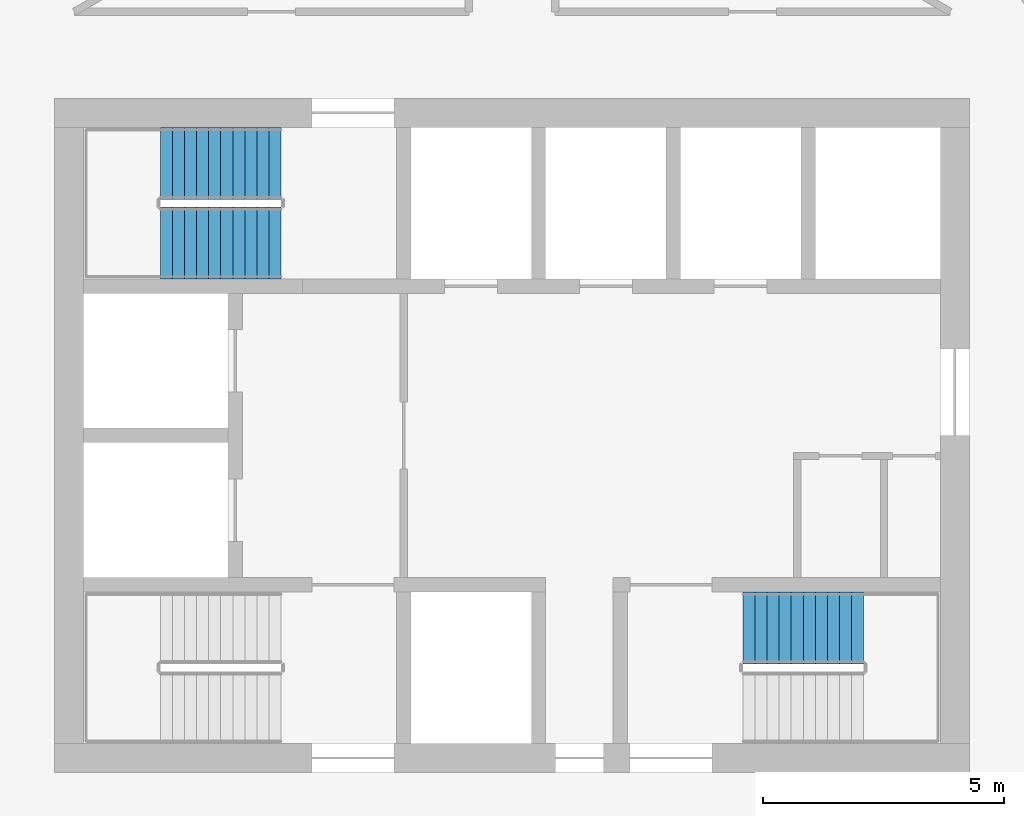
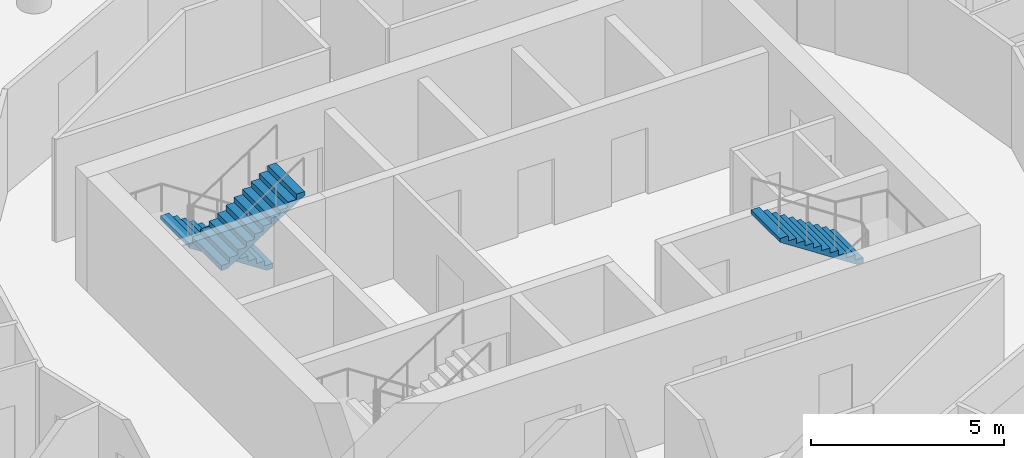
# One storey, part 11 of 12: 3 stair flights, 2 elements without a shape of their own.
"""IFC4 building model written with IfcOpenShell, lengths in metres."""

from ifc_helpers import new_model, si_unit, direction, frame, origin, place, context, subcontext, project, spatial, polyline, outline, extrude, material, type_object, element, aggregate, save


model = new_model("IFC4")

# Units and contexts
model_context = context("Model", 3, precision=1e-05, world=origin(), true_north=direction((0.0, 1.0)))
body_context = subcontext(model_context, "Body", "Model", "MODEL_VIEW")
ifc_project = project(units=[si_unit("LENGTHUNIT", "METRE"), si_unit("AREAUNIT", "SQUARE_METRE"), si_unit("VOLUMEUNIT", "CUBIC_METRE"), si_unit("PLANEANGLEUNIT", "RADIAN"), si_unit("MASSUNIT", "GRAM", prefix="KILO")], contexts=[model_context])

# Site, building, storey
site_placement = place(None, origin())
site = spatial("IfcSite", under=ifc_project, at=site_placement, CompositionType="ELEMENT")
building_placement = place(site_placement, origin())
building = spatial("IfcBuilding", under=site, at=building_placement, Name="Tracery Tower", CompositionType="ELEMENT")
storey_placement = place(building_placement, frame((0.0, 0.0, 287.39990234375)))
storey = spatial("IfcBuildingStorey", under=building, at=storey_placement, Name="L74", CompositionType="ELEMENT", Elevation=287.39990234375)

# Stair, stair flights
ifc_material_1 = material(Name="Concrete C32/40", Category="concrete")
stair_type = type_object("IfcStairType", Name="Core stair 22 risers", PredefinedType="HALF_TURN_STAIR", material=ifc_material_1)
stair_1_placement = place(storey_placement, origin())
stair_1 = element("IfcStair", 1, at=stair_1_placement, inside=storey, type_object=stair_type, Name="L74 stair ST3", PredefinedType="HALF_TURN_STAIR")
ifc_material_2 = material(Name="Concrete C32/40", Category="concrete")
stair_flight_type = type_object("IfcStairFlightType", Name="Core stair flight 11 risers", PredefinedType="STRAIGHT", material=ifc_material_2)
stair_flight_1_placement = place(storey_placement, frame((-4.800048828125, 5.64990234375, 0.0), z_axis=(0.0, 0.0, 1.0), x_axis=(-1.0, 0.0, 0.0)))
stair_flight_1 = element("IfcStairFlight", 2, at=stair_flight_1_placement, type_object=stair_flight_type, Name="ST3 flight 1", NumberOfRisers=11, NumberOfTreads=10, PredefinedType="STRAIGHT", RiserHeight=0.163636364, TreadLength=0.25, context=body_context, shape_type="SweptSolid", body=[
    extrude(outline(polyline([(0.0, 0.0), (0.0, 0.002685546875), (0.0, 0.00537109375), (0.0, 0.008056640625), (0.0, 0.0107421875), (0.0, 0.013427734375), (0.0, 0.01611328125), (0.0, 0.018798828125), (0.0, 0.021484375), (0.0, 0.024169921875), (0.0, 0.02685546875), (0.0, 0.029541015625), (0.0, 0.0322265625), (0.0, 0.034912109375), (0.0, 0.03759765625), (0.0, 0.040283203125), (0.0, 0.04296875), (0.0, 0.045654296875), (0.0, 0.04833984375), (0.0, 0.051025390625), (0.0, 0.0537109375), (0.0, 0.056396484375), (0.0, 0.05908203125), (0.0, 0.061767578125), (0.0, 0.064453125), (0.0, 0.067138671875), (0.0, 0.06982421875), (0.0, 0.072509765625), (0.0, 0.0751953125), (0.0, 0.077880859375), (0.0, 0.08056640625), (0.0, 0.083251953125), (0.0, 0.0859375), (0.0, 0.088623046875), (0.0, 0.09130859375), (0.0, 0.093994140625), (0.0, 0.0966796875), (0.0, 0.099365234375), (0.0, 0.10205078125), (0.0, 0.104736328125), (0.0, 0.107421875), (0.0, 0.10986328125), (0.0, 0.112548828125), (0.0, 0.115234375), (0.0, 0.117919921875), (0.0, 0.12060546875), (0.0, 0.123291015625), (0.0, 0.1259765625), (0.0, 0.128662109375), (0.0, 0.13134765625), (0.0, 0.134033203125), (0.0, 0.13671875), (0.0, 0.139404296875), (0.0, 0.14208984375), (0.0, 0.144775390625), (0.0, 0.1474609375), (0.0, 0.150146484375), (0.0, 0.15283203125), (0.0, 0.155517578125), (0.0, 0.158203125), (0.0, 0.160888671875), (0.0, 0.16357421875), (0.25, 0.16357421875), (0.25, 0.327392578125), (0.5, 0.327392578125), (0.5, 0.490966796875), (0.75, 0.490966796875), (0.75, 0.654541015625), (1.0, 0.654541015625), (1.0, 0.818115234375), (1.25, 0.818115234375), (1.25, 0.98193359375), (1.5, 0.98193359375), (1.5, 1.1455078125), (1.75, 1.1455078125), (1.75, 1.30908203125), (2.0, 1.30908203125), (2.0, 1.47265625), (2.25, 1.47265625), (2.25, 1.636474609375), (2.5, 1.636474609375), (2.5, 1.634521484375), (2.5, 1.63232421875), (2.5, 1.63037109375), (2.5, 1.62841796875), (2.5, 1.62646484375), (2.5, 1.62451171875), (2.5, 1.62255859375), (2.5, 1.62060546875), (2.5, 1.61865234375), (2.5, 1.61669921875), (2.5, 1.61474609375), (2.5, 1.61279296875), (2.5, 1.61083984375), (2.5, 1.60888671875), (2.5, 1.60693359375), (2.5, 1.60498046875), (2.5, 1.60302734375), (2.5, 1.60107421875), (2.5, 1.59912109375), (2.5, 1.59716796875), (2.5, 1.59521484375), (2.5, 1.59326171875), (2.5, 1.59130859375), (2.5, 1.58935546875), (2.5, 1.58740234375), (2.5, 1.58544921875), (2.5, 1.58349609375), (2.5, 1.58154296875), (2.5, 1.57958984375), (2.5, 1.57763671875), (2.5, 1.57568359375), (2.5, 1.573486328125), (2.5, 1.571533203125), (2.5, 1.569580078125), (2.5, 1.567626953125), (2.5, 1.565673828125), (2.5, 1.563720703125), (2.5, 1.561767578125), (2.5, 1.559814453125), (2.5, 1.557861328125), (2.5, 1.555908203125), (2.5, 1.553955078125), (2.5, 1.552001953125), (2.5, 1.550048828125), (2.5, 1.548095703125), (2.5, 1.546142578125), (2.5, 1.544189453125), (2.5, 1.542236328125), (2.5, 1.540283203125), (2.5, 1.538330078125), (2.5, 1.536376953125), (2.5, 1.534423828125), (2.5, 1.532470703125), (2.5, 1.530517578125), (2.5, 1.528564453125), (2.5, 1.526611328125), (2.5, 1.524658203125), (2.5, 1.522705078125), (2.5, 1.520751953125), (2.5, 1.518798828125), (2.5, 1.516845703125), (0.182861328125, 0.0), (0.0, 0.0)])), frame((0.0, 0.75, 0.0), z_axis=(0.0, -1.0, 0.0), x_axis=(1.0, 0.0, 0.0)), (0.0, 0.0, 1.0), 1.5),
])
stair_flight_2_placement = place(storey_placement, frame((-7.300048828125, 4.0, 1.800048828125), z_axis=(0.0, 0.0, 1.0), x_axis=(1.0, 0.0, 0.0)))
stair_flight_2 = element("IfcStairFlight", 3, at=stair_flight_2_placement, type_object=stair_flight_type, Name="ST3 flight 2", NumberOfRisers=11, NumberOfTreads=10, PredefinedType="STRAIGHT", RiserHeight=0.163636364, TreadLength=0.25, context=body_context, shape_type="SweptSolid", body=[
    extrude(outline(polyline([(0.0, 0.0), (0.0, 0.002685546875), (0.0, 0.00537109375), (0.0, 0.008056640625), (0.0, 0.0107421875), (0.0, 0.013427734375), (0.0, 0.01611328125), (0.0, 0.018798828125), (0.0, 0.021484375), (0.0, 0.024169921875), (0.0, 0.02685546875), (0.0, 0.029541015625), (0.0, 0.0322265625), (0.0, 0.034912109375), (0.0, 0.03759765625), (0.0, 0.040283203125), (0.0, 0.04296875), (0.0, 0.045654296875), (0.0, 0.04833984375), (0.0, 0.051025390625), (0.0, 0.0537109375), (0.0, 0.056396484375), (0.0, 0.05908203125), (0.0, 0.061767578125), (0.0, 0.064453125), (0.0, 0.067138671875), (0.0, 0.06982421875), (0.0, 0.072509765625), (0.0, 0.0751953125), (0.0, 0.077880859375), (0.0, 0.08056640625), (0.0, 0.083251953125), (0.0, 0.0859375), (0.0, 0.088623046875), (0.0, 0.09130859375), (0.0, 0.093994140625), (0.0, 0.0966796875), (0.0, 0.099365234375), (0.0, 0.10205078125), (0.0, 0.104736328125), (0.0, 0.107421875), (0.0, 0.10986328125), (0.0, 0.112548828125), (0.0, 0.115234375), (0.0, 0.117919921875), (0.0, 0.12060546875), (0.0, 0.123291015625), (0.0, 0.1259765625), (0.0, 0.128662109375), (0.0, 0.13134765625), (0.0, 0.134033203125), (0.0, 0.13671875), (0.0, 0.139404296875), (0.0, 0.14208984375), (0.0, 0.144775390625), (0.0, 0.1474609375), (0.0, 0.150146484375), (0.0, 0.15283203125), (0.0, 0.155517578125), (0.0, 0.158203125), (0.0, 0.160888671875), (0.0, 0.16357421875), (0.25, 0.16357421875), (0.25, 0.327392578125), (0.5, 0.327392578125), (0.5, 0.490966796875), (0.75, 0.490966796875), (0.75, 0.654541015625), (1.0, 0.654541015625), (1.0, 0.818115234375), (1.25, 0.818115234375), (1.25, 0.98193359375), (1.5, 0.98193359375), (1.5, 1.1455078125), (1.75, 1.1455078125), (1.75, 1.30908203125), (2.0, 1.30908203125), (2.0, 1.47265625), (2.25, 1.47265625), (2.25, 1.636474609375), (2.5, 1.636474609375), (2.5, 1.634521484375), (2.5, 1.63232421875), (2.5, 1.63037109375), (2.5, 1.62841796875), (2.5, 1.62646484375), (2.5, 1.62451171875), (2.5, 1.62255859375), (2.5, 1.62060546875), (2.5, 1.61865234375), (2.5, 1.61669921875), (2.5, 1.61474609375), (2.5, 1.61279296875), (2.5, 1.61083984375), (2.5, 1.60888671875), (2.5, 1.60693359375), (2.5, 1.60498046875), (2.5, 1.60302734375), (2.5, 1.60107421875), (2.5, 1.59912109375), (2.5, 1.59716796875), (2.5, 1.59521484375), (2.5, 1.59326171875), (2.5, 1.59130859375), (2.5, 1.58935546875), (2.5, 1.58740234375), (2.5, 1.58544921875), (2.5, 1.58349609375), (2.5, 1.58154296875), (2.5, 1.57958984375), (2.5, 1.57763671875), (2.5, 1.57568359375), (2.5, 1.573486328125), (2.5, 1.571533203125), (2.5, 1.569580078125), (2.5, 1.567626953125), (2.5, 1.565673828125), (2.5, 1.563720703125), (2.5, 1.561767578125), (2.5, 1.559814453125), (2.5, 1.557861328125), (2.5, 1.555908203125), (2.5, 1.553955078125), (2.5, 1.552001953125), (2.5, 1.550048828125), (2.5, 1.548095703125), (2.5, 1.546142578125), (2.5, 1.544189453125), (2.5, 1.542236328125), (2.5, 1.540283203125), (2.5, 1.538330078125), (2.5, 1.536376953125), (2.5, 1.534423828125), (2.5, 1.532470703125), (2.5, 1.530517578125), (2.5, 1.528564453125), (2.5, 1.526611328125), (2.5, 1.524658203125), (2.5, 1.522705078125), (2.5, 1.520751953125), (2.5, 1.518798828125), (2.5, 1.516845703125), (0.182861328125, 0.0), (0.0, 0.0)])), frame((0.0, 0.75, 0.0), z_axis=(0.0, -1.0, 0.0), x_axis=(1.0, 0.0, 0.0)), (0.0, 0.0, 1.0), 1.5),
])
aggregate(stair_1, [stair_flight_1, stair_flight_2])

# Stair, stair flight
stair_2_placement = place(storey_placement, origin())
stair_2 = element("IfcStair", 4, at=stair_2_placement, inside=storey, type_object=stair_type, Name="L74 stair ST2", PredefinedType="HALF_TURN_STAIR")
stair_flight_3_placement = place(storey_placement, frame((7.300048828125, -4.0, 1.800048828125), z_axis=(0.0, 0.0, 1.0), x_axis=(-1.0, 0.0, 0.0)))
stair_flight_3 = element("IfcStairFlight", 5, at=stair_flight_3_placement, type_object=stair_flight_type, Name="ST2 flight 2", NumberOfRisers=11, NumberOfTreads=10, PredefinedType="STRAIGHT", RiserHeight=0.163636364, TreadLength=0.25, context=body_context, shape_type="SweptSolid", body=[
    extrude(outline(polyline([(0.0, 0.0), (0.0, 0.002685546875), (0.0, 0.00537109375), (0.0, 0.008056640625), (0.0, 0.0107421875), (0.0, 0.013427734375), (0.0, 0.01611328125), (0.0, 0.018798828125), (0.0, 0.021484375), (0.0, 0.024169921875), (0.0, 0.02685546875), (0.0, 0.029541015625), (0.0, 0.0322265625), (0.0, 0.034912109375), (0.0, 0.03759765625), (0.0, 0.040283203125), (0.0, 0.04296875), (0.0, 0.045654296875), (0.0, 0.04833984375), (0.0, 0.051025390625), (0.0, 0.0537109375), (0.0, 0.056396484375), (0.0, 0.05908203125), (0.0, 0.061767578125), (0.0, 0.064453125), (0.0, 0.067138671875), (0.0, 0.06982421875), (0.0, 0.072509765625), (0.0, 0.0751953125), (0.0, 0.077880859375), (0.0, 0.08056640625), (0.0, 0.083251953125), (0.0, 0.0859375), (0.0, 0.088623046875), (0.0, 0.09130859375), (0.0, 0.093994140625), (0.0, 0.0966796875), (0.0, 0.099365234375), (0.0, 0.10205078125), (0.0, 0.104736328125), (0.0, 0.107421875), (0.0, 0.10986328125), (0.0, 0.112548828125), (0.0, 0.115234375), (0.0, 0.117919921875), (0.0, 0.12060546875), (0.0, 0.123291015625), (0.0, 0.1259765625), (0.0, 0.128662109375), (0.0, 0.13134765625), (0.0, 0.134033203125), (0.0, 0.13671875), (0.0, 0.139404296875), (0.0, 0.14208984375), (0.0, 0.144775390625), (0.0, 0.1474609375), (0.0, 0.150146484375), (0.0, 0.15283203125), (0.0, 0.155517578125), (0.0, 0.158203125), (0.0, 0.160888671875), (0.0, 0.16357421875), (0.25, 0.16357421875), (0.25, 0.327392578125), (0.5, 0.327392578125), (0.5, 0.490966796875), (0.75, 0.490966796875), (0.75, 0.654541015625), (1.0, 0.654541015625), (1.0, 0.818115234375), (1.25, 0.818115234375), (1.25, 0.98193359375), (1.5, 0.98193359375), (1.5, 1.1455078125), (1.75, 1.1455078125), (1.75, 1.30908203125), (2.0, 1.30908203125), (2.0, 1.47265625), (2.25, 1.47265625), (2.25, 1.636474609375), (2.5, 1.636474609375), (2.5, 1.634521484375), (2.5, 1.63232421875), (2.5, 1.63037109375), (2.5, 1.62841796875), (2.5, 1.62646484375), (2.5, 1.62451171875), (2.5, 1.62255859375), (2.5, 1.62060546875), (2.5, 1.61865234375), (2.5, 1.61669921875), (2.5, 1.61474609375), (2.5, 1.61279296875), (2.5, 1.61083984375), (2.5, 1.60888671875), (2.5, 1.60693359375), (2.5, 1.60498046875), (2.5, 1.60302734375), (2.5, 1.60107421875), (2.5, 1.59912109375), (2.5, 1.59716796875), (2.5, 1.59521484375), (2.5, 1.59326171875), (2.5, 1.59130859375), (2.5, 1.58935546875), (2.5, 1.58740234375), (2.5, 1.58544921875), (2.5, 1.58349609375), (2.5, 1.58154296875), (2.5, 1.57958984375), (2.5, 1.57763671875), (2.5, 1.57568359375), (2.5, 1.573486328125), (2.5, 1.571533203125), (2.5, 1.569580078125), (2.5, 1.567626953125), (2.5, 1.565673828125), (2.5, 1.563720703125), (2.5, 1.561767578125), (2.5, 1.559814453125), (2.5, 1.557861328125), (2.5, 1.555908203125), (2.5, 1.553955078125), (2.5, 1.552001953125), (2.5, 1.550048828125), (2.5, 1.548095703125), (2.5, 1.546142578125), (2.5, 1.544189453125), (2.5, 1.542236328125), (2.5, 1.540283203125), (2.5, 1.538330078125), (2.5, 1.536376953125), (2.5, 1.534423828125), (2.5, 1.532470703125), (2.5, 1.530517578125), (2.5, 1.528564453125), (2.5, 1.526611328125), (2.5, 1.524658203125), (2.5, 1.522705078125), (2.5, 1.520751953125), (2.5, 1.518798828125), (2.5, 1.516845703125), (0.182861328125, 0.0), (0.0, 0.0)])), frame((0.0, 0.75, 0.0), z_axis=(0.0, -1.0, 0.0), x_axis=(1.0, 0.0, 0.0)), (0.0, 0.0, 1.0), 1.5),
])
aggregate(stair_2, [stair_flight_3])

save(model, "model.ifc")
